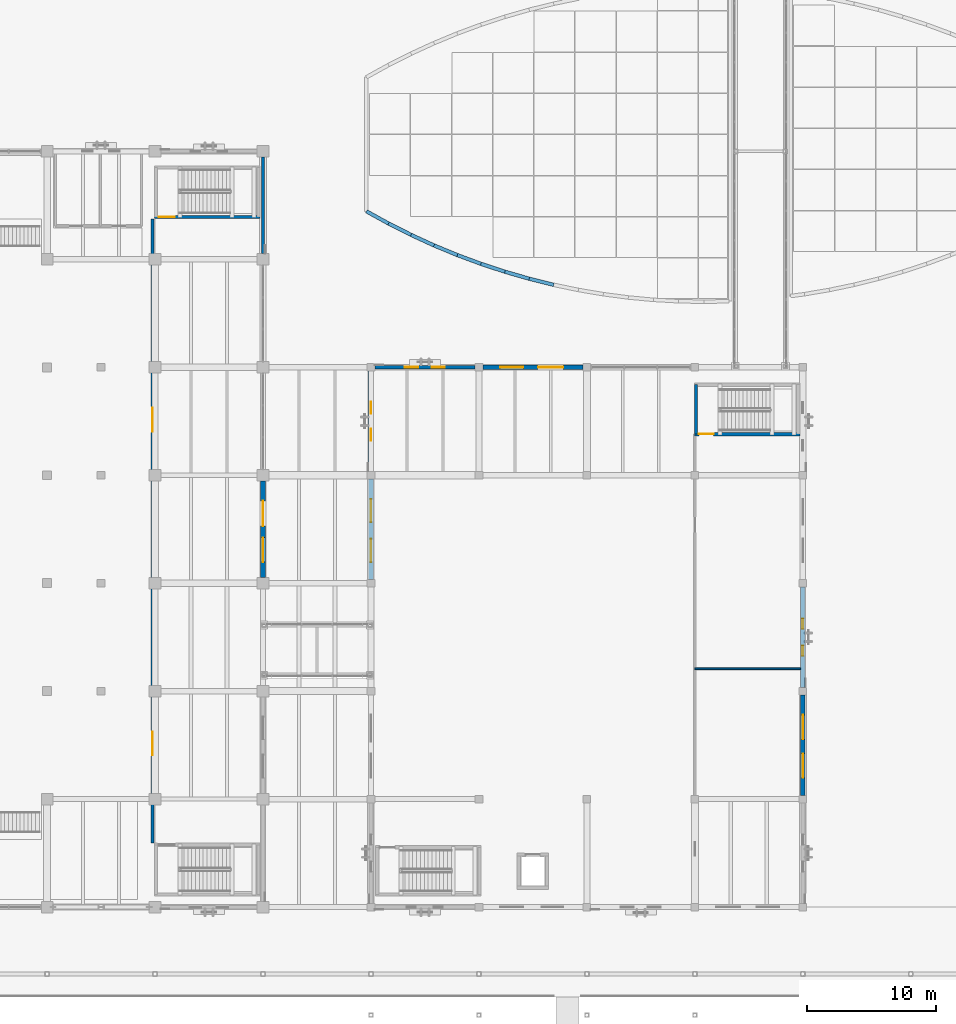
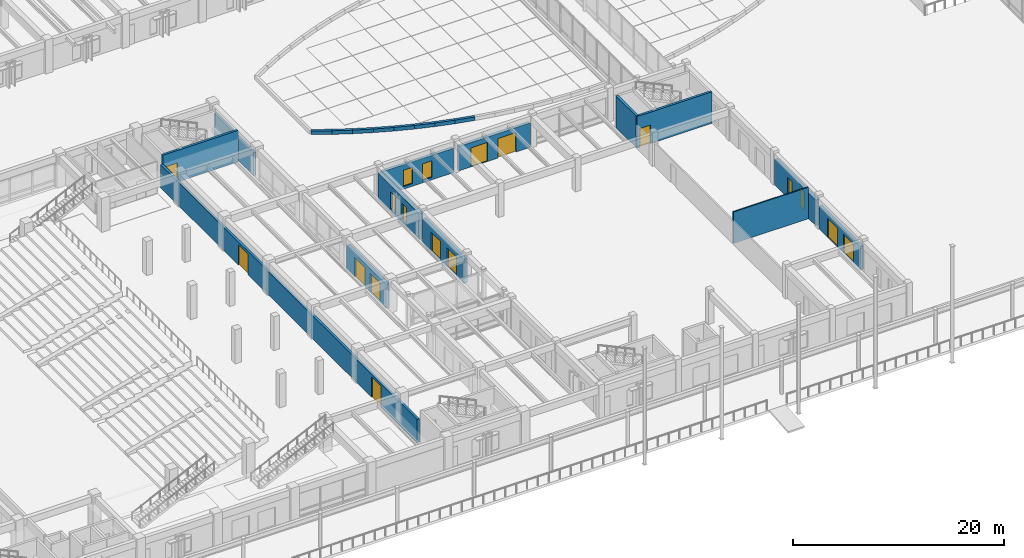
# One storey, part 87 of 135: 21 walls, 12 doors, 6 windows, 18 openings.
"""IFC4 building model written with IfcOpenShell, lengths in metres."""

from ifc_helpers import new_model, si_unit, direction, frame, frame_2d, origin, place, context, subcontext, project, spatial, rectangle, extrude, material, layer, layer_set, type_object, element, fill, save


model = new_model("IFC4")

# Units and contexts
model_context = context("Model", 3, precision=1e-05, world=origin(), true_north=direction((0.0, 1.0)))
body_context = subcontext(model_context, "Body", "Model", "MODEL_VIEW")
ifc_project = project(units=[si_unit("LENGTHUNIT", "METRE"), si_unit("AREAUNIT", "SQUARE_METRE"), si_unit("VOLUMEUNIT", "CUBIC_METRE"), si_unit("PLANEANGLEUNIT", "RADIAN"), si_unit("MASSUNIT", "GRAM", prefix="KILO")], contexts=[model_context])

# Site, building, storey
site_placement = place(None, origin())
site = spatial("IfcSite", under=ifc_project, at=site_placement, CompositionType="ELEMENT")
building_placement = place(site_placement, origin())
building = spatial("IfcBuilding", under=site, at=building_placement, Name="Cumbredor Promenade Congress Hotel", CompositionType="ELEMENT")
storey_placement = place(building_placement, origin())
storey = spatial("IfcBuildingStorey", under=building, at=storey_placement, Name="L00", CompositionType="ELEMENT", Elevation=0.0)

# Wall, openings, doors
ifc_material_1 = material(Name="Concrete C40/50", Category="concrete")
ifc_layer_1 = layer(ifc_material_1, 0.25, Name="Concrete C40/50", Category="concrete")
ifc_layer_set_1 = layer_set([ifc_layer_1], Name="Concrete C40/50")
wall_type_1 = type_object("IfcWallType", Name="WL-ACOUST-250", PredefinedType="SOLIDWALL", material=ifc_layer_set_1)
wall_1_placement = place(storey_placement, frame((58.60009765625, 13.39990234375, 0.0), z_axis=(0.0, 0.0, 1.0), x_axis=(0.0, 1.0, 0.0)))
wall_1 = element("IfcWall", 1, at=wall_1_placement, inside=storey, type_object=wall_type_1, Name="L00 Interior Partition W-L00-V1-2", PredefinedType="SOLIDWALL", context=body_context, shape_type="SweptSolid", body=[
    extrude(rectangle(XDim=48.550048828125, YDim=0.25, at=frame_2d((24.27490234375, 0.0))), origin(), (0.0, 0.0, 1.0), 2.675048828125),
])
opening_1_placement = place(wall_1_placement, frame((6.800048828125, 0.0, 0.0)))
opening_1 = element("IfcOpeningElement", 2, at=opening_1_placement, cuts=wall_1, Name="Opening AD-01", PredefinedType="OPENING", context=body_context, shape_type="SweptSolid", body=[
    extrude(rectangle(XDim=1.85009765625, YDim=2.35009765625, at=frame_2d((0.925048828125, 1.175048828125))), frame((0.0, 0.135009765625, 0.0), z_axis=(0.0, -1.0, 0.0), x_axis=(1.0, 0.0, 0.0)), (0.0, 0.0, 1.0), 0.27001953125),
])
opening_2_placement = place(wall_1_placement, frame((32.0, 0.0, 0.0)))
opening_2 = element("IfcOpeningElement", 3, at=opening_2_placement, cuts=wall_1, Name="Opening AD-01", PredefinedType="OPENING", context=body_context, shape_type="SweptSolid", body=[
    extrude(rectangle(XDim=1.85009765625, YDim=2.35009765625, at=frame_2d((0.925048828125, 1.175048828125))), frame((0.0, 0.135009765625, 0.0), z_axis=(0.0, -1.0, 0.0), x_axis=(1.0, 0.0, 0.0)), (0.0, 0.0, 1.0), 0.27001953125),
])
ifc_material_2 = material(Name="Acoustic solid-core hardwood assembly door", Category="wood")
door_type_1 = type_object("IfcDoorType", Name="DR-ACOUST-1800", OperationType="DOUBLE_DOOR_SINGLE_SWING", PredefinedType="DOOR", material=ifc_material_2)
door_1_placement = place(opening_1_placement, origin())
door_1 = element("IfcDoor", 4, at=door_1_placement, inside=storey, type_object=door_type_1, Name="L00 Interior Door W-L00-V1-2-01", OperationType="DOUBLE_DOOR_SINGLE_SWING", OverallHeight=2.35009765625, OverallWidth=1.85009765625, PredefinedType="DOOR", context=body_context, shape_type="SweptSolid", body=[
    extrude(rectangle(XDim=1.85009765625, YDim=2.35009765625, at=frame_2d((0.925048828125, 1.175048828125))), frame((0.0, 0.02490234375, 0.0), z_axis=(0.0, -1.0, 0.0), x_axis=(1.0, 0.0, 0.0)), (0.0, 0.0, 1.0), 0.050048828125),
])
fill(opening_1, door_1)
door_2_placement = place(opening_2_placement, origin())
door_2 = element("IfcDoor", 5, at=door_2_placement, inside=storey, type_object=door_type_1, Name="L00 Interior Door W-L00-V1-2-02", OperationType="DOUBLE_DOOR_SINGLE_SWING", OverallHeight=2.35009765625, OverallWidth=1.85009765625, PredefinedType="DOOR", context=body_context, shape_type="SweptSolid", body=[
    extrude(rectangle(XDim=1.85009765625, YDim=2.35009765625, at=frame_2d((0.925048828125, 1.175048828125))), frame((0.0, 0.02490234375, 0.0), z_axis=(0.0, -1.0, 0.0), x_axis=(1.0, 0.0, 0.0)), (0.0, 0.0, 1.0), 0.050048828125),
])
fill(opening_2, door_2)

# Wall
ifc_layer_2 = layer(ifc_material_1, 0.260009765625, Name="Concrete C40/50", Category="concrete")
ifc_layer_set_2 = layer_set([ifc_layer_2], Name="Concrete C40/50")
wall_type_2 = type_object("IfcWallType", Name="WL-EXT-260", PredefinedType="SOLIDWALL", material=ifc_layer_set_2)
wall_2_placement = place(storey_placement, frame((67.199951171875, 59.2509765625, 0.0), z_axis=(0.0, 0.0, 1.0), x_axis=(0.0, 1.0, 0.0)))
element("IfcWall", 6, at=wall_2_placement, inside=storey, type_object=wall_type_2, Name="L00 Plenary Congress Hall East Envelope Wall 7", PredefinedType="SOLIDWALL", context=body_context, shape_type="SweptSolid", body=[
    extrude(rectangle(XDim=7.498046875, YDim=0.260009765625, at=frame_2d((3.7490234375, 0.0))), origin(), (0.0, 0.0, 1.0), 2.675048828125),
])

# Wall, openings, windows
ifc_layer_3 = layer(ifc_material_1, 0.300048828125, Name="Concrete C40/50", Category="concrete")
ifc_layer_set_3 = layer_set([ifc_layer_3], Name="Concrete C40/50")
wall_type_3 = type_object("IfcWallType", Name="WL-EXT-300", PredefinedType="SOLIDWALL", material=ifc_layer_set_3)
wall_3_placement = place(storey_placement, frame((75.90087890625, 50.39990234375, 0.0), z_axis=(0.0, 0.0, 1.0), x_axis=(1.0, 0.0, 0.0)))
wall_3 = element("IfcWall", 7, at=wall_3_placement, inside=storey, type_object=wall_type_3, Name="L00 Thermal Spa and Hydrotherapy Pavilion North Envelope Wall 1", PredefinedType="SOLIDWALL", context=body_context, shape_type="SweptSolid", body=[
    extrude(rectangle(XDim=7.798095703125, YDim=0.300048828125, at=frame_2d((3.89892578125, 0.0))), origin(), (0.0, 0.0, 1.0), 2.824951171875),
])
opening_3_placement = place(wall_3_placement, frame((2.339111328125, 0.0, 0.300048828125)))
opening_3 = element("IfcOpeningElement", 8, at=opening_3_placement, cuts=wall_3, Name="Opening WN-69", PredefinedType="OPENING", context=body_context, shape_type="SweptSolid", body=[
    extrude(rectangle(XDim=1.02001953125, YDim=1.89990234375, at=frame_2d((0.510009765625, 0.949951171875))), frame((0.0, 0.16015625, 0.0), z_axis=(0.0, -1.0, 0.0), x_axis=(1.0, 0.0, 0.0)), (0.0, 0.0, 1.0), 0.320068359375),
])
opening_4_placement = place(wall_3_placement, frame((4.43896484375, 0.0, 0.300048828125)))
opening_4 = element("IfcOpeningElement", 9, at=opening_4_placement, cuts=wall_3, Name="Opening WN-69", PredefinedType="OPENING", context=body_context, shape_type="SweptSolid", body=[
    extrude(rectangle(XDim=1.02001953125, YDim=1.89990234375, at=frame_2d((0.510009765625, 0.949951171875))), frame((0.0, 0.16015625, 0.0), z_axis=(0.0, -1.0, 0.0), x_axis=(1.0, 0.0, 0.0)), (0.0, 0.0, 1.0), 0.320068359375),
])
ifc_material_3 = material(Name="Thermally broken anodized aluminium and low-E glass", Category="aluminium")
window_type_1 = type_object("IfcWindowType", Name="Vertical Slot Window WN-69 1020x1900", PartitioningType="SINGLE_PANEL", PredefinedType="WINDOW", material=ifc_material_3)
window_1_placement = place(opening_3_placement, origin())
window_1 = element("IfcWindow", 10, at=window_1_placement, inside=storey, type_object=window_type_1, Name="L00 Vertical Slot Window 0025", OverallHeight=1.89990234375, OverallWidth=1.02001953125, PartitioningType="SINGLE_PANEL", PredefinedType="WINDOW", context=body_context, shape_type="SweptSolid", body=[
    extrude(rectangle(XDim=1.02001953125, YDim=1.89990234375, at=frame_2d((0.510009765625, 0.949951171875))), frame((0.0, 0.030029296875, 0.0), z_axis=(0.0, -1.0, 0.0), x_axis=(1.0, 0.0, 0.0)), (0.0, 0.0, 1.0), 0.06005859375),
])
fill(opening_3, window_1)
window_2_placement = place(opening_4_placement, origin())
window_2 = element("IfcWindow", 11, at=window_2_placement, inside=storey, type_object=window_type_1, Name="L00 Vertical Slot Window 0026", OverallHeight=1.89990234375, OverallWidth=1.02001953125, PartitioningType="SINGLE_PANEL", PredefinedType="WINDOW", context=body_context, shape_type="SweptSolid", body=[
    extrude(rectangle(XDim=1.02001953125, YDim=1.89990234375, at=frame_2d((0.510009765625, 0.949951171875))), frame((0.0, 0.030029296875, 0.0), z_axis=(0.0, -1.0, 0.0), x_axis=(1.0, 0.0, 0.0)), (0.0, 0.0, 1.0), 0.06005859375),
])
fill(opening_4, window_2)

# Wall, openings, doors
ifc_layer_4 = layer(ifc_material_1, 0.324951171875, Name="Concrete C40/50", Category="concrete")
ifc_layer_set_4 = layer_set([ifc_layer_4], Name="Concrete C40/50")
wall_type_4 = type_object("IfcWallType", Name="WL-EXT-325", PredefinedType="SOLIDWALL", material=ifc_layer_set_4)
wall_4_placement = place(storey_placement, frame((84.301025390625, 50.39990234375, 0.0), z_axis=(0.0, 0.0, 1.0), x_axis=(1.0, 0.0, 0.0)))
wall_4 = element("IfcWall", 12, at=wall_4_placement, inside=storey, type_object=wall_type_4, Name="L00 Thermal Spa and Hydrotherapy Pavilion North Envelope Wall 2", PredefinedType="SOLIDWALL", context=body_context, shape_type="SweptSolid", body=[
    extrude(rectangle(XDim=7.798095703125, YDim=0.324951171875, at=frame_2d((3.89892578125, 0.0))), origin(), (0.0, 0.0, 1.0), 2.824951171875),
])
opening_5_placement = place(wall_4_placement, frame((1.34912109375, 0.0, 0.0)))
opening_5 = element("IfcOpeningElement", 13, at=opening_5_placement, cuts=wall_4, Name="Opening EX-01", PredefinedType="OPENING", context=body_context, shape_type="SweptSolid", body=[
    extrude(rectangle(XDim=1.800048828125, YDim=2.199951171875, at=frame_2d((0.89990234375, 1.10009765625))), frame((0.0, 0.17236328125, 0.0), z_axis=(0.0, -1.0, 0.0), x_axis=(1.0, 0.0, 0.0)), (0.0, 0.0, 1.0), 0.344970703125),
])
opening_6_placement = place(wall_4_placement, frame((4.298095703125, 0.0, 0.0)))
opening_6 = element("IfcOpeningElement", 14, at=opening_6_placement, cuts=wall_4, Name="Opening EX-10", PredefinedType="OPENING", context=body_context, shape_type="SweptSolid", body=[
    extrude(rectangle(XDim=1.949951171875, YDim=2.25, at=frame_2d((0.97509765625, 1.125))), frame((0.0, 0.17236328125, 0.0), z_axis=(0.0, -1.0, 0.0), x_axis=(1.0, 0.0, 0.0)), (0.0, 0.0, 1.0), 0.344970703125),
])
ifc_material_4 = material(Name="Thermally broken anodized aluminium and laminated safety glass", Category="aluminium")
door_type_2 = type_object("IfcDoorType", Name="EXT-DR-EXIT-1800x2200", OperationType="DOUBLE_DOOR_SINGLE_SWING", PredefinedType="DOOR", material=ifc_material_4)
door_3_placement = place(opening_5_placement, origin())
door_3 = element("IfcDoor", 15, at=door_3_placement, inside=storey, type_object=door_type_2, Name="L00 Thermal Spa and Hydrotherapy Pavilion North Final Exit Door 16.1", OperationType="DOUBLE_DOOR_SINGLE_SWING", OverallHeight=2.199951171875, OverallWidth=1.800048828125, PredefinedType="DOOR", context=body_context, shape_type="SweptSolid", body=[
    extrude(rectangle(XDim=1.800048828125, YDim=2.199951171875, at=frame_2d((0.89990234375, 1.10009765625))), frame((0.0, 0.02490234375, 0.0), z_axis=(0.0, -1.0, 0.0), x_axis=(1.0, 0.0, 0.0)), (0.0, 0.0, 1.0), 0.050048828125),
])
fill(opening_5, door_3)
door_type_3 = type_object("IfcDoorType", Name="EXT-DR-EXIT-1950x2250", OperationType="DOUBLE_DOOR_SINGLE_SWING", PredefinedType="DOOR", material=ifc_material_4)
door_4_placement = place(opening_6_placement, origin())
door_4 = element("IfcDoor", 16, at=door_4_placement, inside=storey, type_object=door_type_3, Name="L00 Thermal Spa and Hydrotherapy Pavilion North Final Exit Door 16.2", OperationType="DOUBLE_DOOR_SINGLE_SWING", OverallHeight=2.25, OverallWidth=1.949951171875, PredefinedType="DOOR", context=body_context, shape_type="SweptSolid", body=[
    extrude(rectangle(XDim=1.949951171875, YDim=2.25, at=frame_2d((0.97509765625, 1.125))), frame((0.0, 0.02490234375, 0.0), z_axis=(0.0, -1.0, 0.0), x_axis=(1.0, 0.0, 0.0)), (0.0, 0.0, 1.0), 0.050048828125),
])
fill(opening_6, door_4)

wall_5_placement = place(storey_placement, frame((109.199951171875, 17.10107421875, 0.0), z_axis=(0.0, 0.0, 1.0), x_axis=(0.0, 1.0, 0.0)))
wall_5 = element("IfcWall", 17, at=wall_5_placement, inside=storey, type_object=wall_type_4, Name="L00 Thermal Spa and Hydrotherapy Pavilion East Envelope Wall 2", PredefinedType="SOLIDWALL", context=body_context, shape_type="SweptSolid", body=[
    extrude(rectangle(XDim=7.7978515625, YDim=0.324951171875, at=frame_2d((3.89892578125, 0.0))), origin(), (0.0, 0.0, 1.0), 2.675048828125),
])
opening_7_placement = place(wall_5_placement, frame((1.34912109375, 0.0, 0.0)))
opening_7 = element("IfcOpeningElement", 18, at=opening_7_placement, cuts=wall_5, Name="Opening EX-02", PredefinedType="OPENING", context=body_context, shape_type="SweptSolid", body=[
    extrude(rectangle(XDim=1.89990234375, YDim=2.199951171875, at=frame_2d((0.949951171875, 1.10009765625))), frame((0.0, 0.17236328125, 0.0), z_axis=(0.0, -1.0, 0.0), x_axis=(1.0, 0.0, 0.0)), (0.0, 0.0, 1.0), 0.344970703125),
])
opening_8_placement = place(wall_5_placement, frame((4.347900390625, 0.0, 0.0)))
opening_8 = element("IfcOpeningElement", 19, at=opening_8_placement, cuts=wall_5, Name="Opening EX-02", PredefinedType="OPENING", context=body_context, shape_type="SweptSolid", body=[
    extrude(rectangle(XDim=1.89990234375, YDim=2.199951171875, at=frame_2d((0.949951171875, 1.10009765625))), frame((0.0, 0.17236328125, 0.0), z_axis=(0.0, -1.0, 0.0), x_axis=(1.0, 0.0, 0.0)), (0.0, 0.0, 1.0), 0.344970703125),
])
door_type_4 = type_object("IfcDoorType", Name="EXT-DR-EXIT-1900x2200", OperationType="DOUBLE_DOOR_SINGLE_SWING", PredefinedType="DOOR", material=ifc_material_4)
door_5_placement = place(opening_7_placement, frame((1.89990234375, 0.0, 0.0), z_axis=(0.0, 0.0, 1.0), x_axis=(-1.0, 0.0, 0.0)))
door_5 = element("IfcDoor", 20, at=door_5_placement, inside=storey, type_object=door_type_4, Name="L00 Thermal Spa and Hydrotherapy Pavilion East Final Exit Door 19.1", OperationType="DOUBLE_DOOR_SINGLE_SWING", OverallHeight=2.199951171875, OverallWidth=1.89990234375, PredefinedType="DOOR", context=body_context, shape_type="SweptSolid", body=[
    extrude(rectangle(XDim=1.89990234375, YDim=2.199951171875, at=frame_2d((0.949951171875, 1.10009765625))), frame((0.0, 0.02490234375, 0.0), z_axis=(0.0, -1.0, 0.0), x_axis=(1.0, 0.0, 0.0)), (0.0, 0.0, 1.0), 0.050048828125),
])
fill(opening_7, door_5)
door_6_placement = place(opening_8_placement, frame((1.89990234375, 0.0, 0.0), z_axis=(0.0, 0.0, 1.0), x_axis=(-1.0, 0.0, 0.0)))
door_6 = element("IfcDoor", 21, at=door_6_placement, inside=storey, type_object=door_type_4, Name="L00 Thermal Spa and Hydrotherapy Pavilion East Final Exit Door 19.2", OperationType="DOUBLE_DOOR_SINGLE_SWING", OverallHeight=2.199951171875, OverallWidth=1.89990234375, PredefinedType="DOOR", context=body_context, shape_type="SweptSolid", body=[
    extrude(rectangle(XDim=1.89990234375, YDim=2.199951171875, at=frame_2d((0.949951171875, 1.10009765625))), frame((0.0, 0.02490234375, 0.0), z_axis=(0.0, -1.0, 0.0), x_axis=(1.0, 0.0, 0.0)), (0.0, 0.0, 1.0), 0.050048828125),
])
fill(opening_8, door_6)

# Wall, openings, windows
ifc_layer_5 = layer(ifc_material_1, 0.35009765625, Name="Concrete C40/50", Category="concrete")
ifc_layer_set_5 = layer_set([ifc_layer_5], Name="Concrete C40/50")
wall_type_5 = type_object("IfcWallType", Name="WL-EXT-350", PredefinedType="SOLIDWALL", material=ifc_layer_set_5)
wall_6_placement = place(storey_placement, frame((109.199951171875, 25.5009765625, 0.0), z_axis=(0.0, 0.0, 1.0), x_axis=(0.0, 1.0, 0.0)))
wall_6 = element("IfcWall", 22, at=wall_6_placement, inside=storey, type_object=wall_type_5, Name="L00 Thermal Spa and Hydrotherapy Pavilion East Envelope Wall 3", PredefinedType="SOLIDWALL", context=body_context, shape_type="SweptSolid", body=[
    extrude(rectangle(XDim=7.798095703125, YDim=0.35009765625, at=frame_2d((3.89892578125, 0.0))), origin(), (0.0, 0.0, 1.0), 2.97509765625),
])
opening_9_placement = place(wall_6_placement, frame((2.448974609375, 0.0, 0.300048828125)))
opening_9 = element("IfcOpeningElement", 23, at=opening_9_placement, cuts=wall_6, Name="Opening WN-54", PredefinedType="OPENING", context=body_context, shape_type="SweptSolid", body=[
    extrude(rectangle(XDim=0.800048828125, YDim=2.050048828125, at=frame_2d((0.39990234375, 1.02490234375))), frame((0.0, 0.18505859375, 0.0), z_axis=(0.0, -1.0, 0.0), x_axis=(1.0, 0.0, 0.0)), (0.0, 0.0, 1.0), 0.3701171875),
])
opening_10_placement = place(wall_6_placement, frame((4.549072265625, 0.0, 0.300048828125)))
opening_10 = element("IfcOpeningElement", 24, at=opening_10_placement, cuts=wall_6, Name="Opening WN-54", PredefinedType="OPENING", context=body_context, shape_type="SweptSolid", body=[
    extrude(rectangle(XDim=0.800048828125, YDim=2.050048828125, at=frame_2d((0.39990234375, 1.02490234375))), frame((0.0, 0.18505859375, 0.0), z_axis=(0.0, -1.0, 0.0), x_axis=(1.0, 0.0, 0.0)), (0.0, 0.0, 1.0), 0.3701171875),
])
window_type_2 = type_object("IfcWindowType", Name="Vertical Slot Window WN-54 800x2050", PartitioningType="SINGLE_PANEL", PredefinedType="WINDOW", material=ifc_material_3)
window_3_placement = place(opening_9_placement, origin())
window_3 = element("IfcWindow", 25, at=window_3_placement, inside=storey, type_object=window_type_2, Name="L00 Vertical Slot Window 0033", OverallHeight=2.050048828125, OverallWidth=0.800048828125, PartitioningType="SINGLE_PANEL", PredefinedType="WINDOW", context=body_context, shape_type="SweptSolid", body=[
    extrude(rectangle(XDim=0.800048828125, YDim=2.050048828125, at=frame_2d((0.39990234375, 1.02490234375))), frame((0.0, 0.030029296875, 0.0), z_axis=(0.0, -1.0, 0.0), x_axis=(1.0, 0.0, 0.0)), (0.0, 0.0, 1.0), 0.06005859375),
])
fill(opening_9, window_3)
window_4_placement = place(opening_10_placement, origin())
window_4 = element("IfcWindow", 26, at=window_4_placement, inside=storey, type_object=window_type_2, Name="L00 Vertical Slot Window 0034", OverallHeight=2.050048828125, OverallWidth=0.800048828125, PartitioningType="SINGLE_PANEL", PredefinedType="WINDOW", context=body_context, shape_type="SweptSolid", body=[
    extrude(rectangle(XDim=0.800048828125, YDim=2.050048828125, at=frame_2d((0.39990234375, 1.02490234375))), frame((0.0, 0.030029296875, 0.0), z_axis=(0.0, -1.0, 0.0), x_axis=(1.0, 0.0, 0.0)), (0.0, 0.0, 1.0), 0.06005859375),
])
fill(opening_10, window_4)

# Wall, openings, doors
ifc_layer_6 = layer(ifc_material_1, 0.3798828125, Name="Concrete C40/50", Category="concrete")
ifc_layer_set_6 = layer_set([ifc_layer_6], Name="Concrete C40/50")
wall_type_6 = type_object("IfcWallType", Name="WL-EXT-380", PredefinedType="SOLIDWALL", material=ifc_layer_set_6)
wall_7_placement = place(storey_placement, frame((67.199951171875, 34.051025390625, 0.0), z_axis=(0.0, 0.0, 1.0), x_axis=(0.0, 1.0, 0.0)))
wall_7 = element("IfcWall", 27, at=wall_7_placement, inside=storey, type_object=wall_type_6, Name="L00 Plenary Congress Hall East Envelope Wall 4", PredefinedType="SOLIDWALL", context=body_context, shape_type="SweptSolid", body=[
    extrude(rectangle(XDim=7.498046875, YDim=0.3798828125, at=frame_2d((3.7490234375, 0.0))), origin(), (0.0, 0.0, 1.0), 2.77490234375),
])
opening_11_placement = place(wall_7_placement, frame((1.198974609375, 0.0, 0.0)))
opening_11 = element("IfcOpeningElement", 28, at=opening_11_placement, cuts=wall_7, Name="Opening EX-02", PredefinedType="OPENING", context=body_context, shape_type="SweptSolid", body=[
    extrude(rectangle(XDim=1.89990234375, YDim=2.199951171875, at=frame_2d((0.949951171875, 1.10009765625))), frame((0.0, 0.199951171875, 0.0), z_axis=(0.0, -1.0, 0.0), x_axis=(1.0, 0.0, 0.0)), (0.0, 0.0, 1.0), 0.39990234375),
])
opening_12_placement = place(wall_7_placement, frame((3.998046875, 0.0, 0.0)))
opening_12 = element("IfcOpeningElement", 29, at=opening_12_placement, cuts=wall_7, Name="Opening EX-10", PredefinedType="OPENING", context=body_context, shape_type="SweptSolid", body=[
    extrude(rectangle(XDim=1.949951171875, YDim=2.25, at=frame_2d((0.97509765625, 1.125))), frame((0.0, 0.199951171875, 0.0), z_axis=(0.0, -1.0, 0.0), x_axis=(1.0, 0.0, 0.0)), (0.0, 0.0, 1.0), 0.39990234375),
])
door_7_placement = place(opening_11_placement, frame((1.89990234375, 0.0, 0.0), z_axis=(0.0, 0.0, 1.0), x_axis=(-1.0, 0.0, 0.0)))
door_7 = element("IfcDoor", 30, at=door_7_placement, inside=storey, type_object=door_type_4, Name="L00 Plenary Congress Hall East Final Exit Door 07.1", OperationType="DOUBLE_DOOR_SINGLE_SWING", OverallHeight=2.199951171875, OverallWidth=1.89990234375, PredefinedType="DOOR", context=body_context, shape_type="SweptSolid", body=[
    extrude(rectangle(XDim=1.89990234375, YDim=2.199951171875, at=frame_2d((0.949951171875, 1.10009765625))), frame((0.0, 0.02490234375, 0.0), z_axis=(0.0, -1.0, 0.0), x_axis=(1.0, 0.0, 0.0)), (0.0, 0.0, 1.0), 0.050048828125),
])
fill(opening_11, door_7)
door_8_placement = place(opening_12_placement, frame((1.949951171875, 0.0, 0.0), z_axis=(0.0, 0.0, 1.0), x_axis=(-1.0, 0.0, 0.0)))
door_8 = element("IfcDoor", 31, at=door_8_placement, inside=storey, type_object=door_type_3, Name="L00 Plenary Congress Hall East Final Exit Door 07.2", OperationType="DOUBLE_DOOR_SINGLE_SWING", OverallHeight=2.25, OverallWidth=1.949951171875, PredefinedType="DOOR", context=body_context, shape_type="SweptSolid", body=[
    extrude(rectangle(XDim=1.949951171875, YDim=2.25, at=frame_2d((0.97509765625, 1.125))), frame((0.0, 0.02490234375, 0.0), z_axis=(0.0, -1.0, 0.0), x_axis=(1.0, 0.0, 0.0)), (0.0, 0.0, 1.0), 0.050048828125),
])
fill(opening_12, door_8)

wall_8_placement = place(storey_placement, frame((75.60009765625, 33.90087890625, 0.0), z_axis=(0.0, 0.0, 1.0), x_axis=(0.0, 1.0, 0.0)))
wall_8 = element("IfcWall", 32, at=wall_8_placement, inside=storey, type_object=wall_type_6, Name="L00 Thermal Spa and Hydrotherapy Pavilion West Envelope Wall 4", PredefinedType="SOLIDWALL", context=body_context, shape_type="SweptSolid", body=[
    extrude(rectangle(XDim=7.798095703125, YDim=0.3798828125, at=frame_2d((3.89892578125, 0.0))), origin(), (0.0, 0.0, 1.0), 2.77490234375),
])
opening_13_placement = place(wall_8_placement, frame((1.34912109375, 0.0, 0.0)))
opening_13 = element("IfcOpeningElement", 33, at=opening_13_placement, cuts=wall_8, Name="Opening EX-01", PredefinedType="OPENING", context=body_context, shape_type="SweptSolid", body=[
    extrude(rectangle(XDim=1.800048828125, YDim=2.199951171875, at=frame_2d((0.89990234375, 1.10009765625))), frame((0.0, 0.199951171875, 0.0), z_axis=(0.0, -1.0, 0.0), x_axis=(1.0, 0.0, 0.0)), (0.0, 0.0, 1.0), 0.39990234375),
])
opening_14_placement = place(wall_8_placement, frame((4.447998046875, 0.0, 0.0)))
opening_14 = element("IfcOpeningElement", 34, at=opening_14_placement, cuts=wall_8, Name="Opening EX-01", PredefinedType="OPENING", context=body_context, shape_type="SweptSolid", body=[
    extrude(rectangle(XDim=1.800048828125, YDim=2.199951171875, at=frame_2d((0.89990234375, 1.10009765625))), frame((0.0, 0.199951171875, 0.0), z_axis=(0.0, -1.0, 0.0), x_axis=(1.0, 0.0, 0.0)), (0.0, 0.0, 1.0), 0.39990234375),
])
door_9_placement = place(opening_13_placement, origin())
door_9 = element("IfcDoor", 35, at=door_9_placement, inside=storey, type_object=door_type_2, Name="L00 Thermal Spa and Hydrotherapy Pavilion West Final Exit Door 18.1", OperationType="DOUBLE_DOOR_SINGLE_SWING", OverallHeight=2.199951171875, OverallWidth=1.800048828125, PredefinedType="DOOR", context=body_context, shape_type="SweptSolid", body=[
    extrude(rectangle(XDim=1.800048828125, YDim=2.199951171875, at=frame_2d((0.89990234375, 1.10009765625))), frame((0.0, 0.02490234375, 0.0), z_axis=(0.0, -1.0, 0.0), x_axis=(1.0, 0.0, 0.0)), (0.0, 0.0, 1.0), 0.050048828125),
])
fill(opening_13, door_9)
door_10_placement = place(opening_14_placement, origin())
door_10 = element("IfcDoor", 36, at=door_10_placement, inside=storey, type_object=door_type_2, Name="L00 Thermal Spa and Hydrotherapy Pavilion West Final Exit Door 18.2", OperationType="DOUBLE_DOOR_SINGLE_SWING", OverallHeight=2.199951171875, OverallWidth=1.800048828125, PredefinedType="DOOR", context=body_context, shape_type="SweptSolid", body=[
    extrude(rectangle(XDim=1.800048828125, YDim=2.199951171875, at=frame_2d((0.89990234375, 1.10009765625))), frame((0.0, 0.02490234375, 0.0), z_axis=(0.0, -1.0, 0.0), x_axis=(1.0, 0.0, 0.0)), (0.0, 0.0, 1.0), 0.050048828125),
])
fill(opening_14, door_10)

# Wall, openings, windows
ifc_layer_7 = layer(ifc_material_1, 0.425048828125, Name="Concrete C40/50", Category="concrete")
ifc_layer_set_7 = layer_set([ifc_layer_7], Name="Concrete C40/50")
wall_type_7 = type_object("IfcWallType", Name="WL-EXT-425", PredefinedType="SOLIDWALL", material=ifc_layer_set_7)
wall_9_placement = place(storey_placement, frame((75.60009765625, 42.301025390625, 0.0), z_axis=(0.0, 0.0, 1.0), x_axis=(0.0, 1.0, 0.0)))
wall_9 = element("IfcWall", 37, at=wall_9_placement, inside=storey, type_object=wall_type_7, Name="L00 Thermal Spa and Hydrotherapy Pavilion West Envelope Wall 5", PredefinedType="SOLIDWALL", context=body_context, shape_type="SweptSolid", body=[
    extrude(rectangle(XDim=7.798095703125, YDim=0.425048828125, at=frame_2d((3.89892578125, 0.0))), origin(), (0.0, 0.0, 1.0), 2.97509765625),
])
opening_15_placement = place(wall_9_placement, frame((2.39892578125, 0.0, 0.300048828125)))
opening_15 = element("IfcOpeningElement", 38, at=opening_15_placement, cuts=wall_9, Name="Opening WN-52", PredefinedType="OPENING", context=body_context, shape_type="SweptSolid", body=[
    extrude(rectangle(XDim=0.89990234375, YDim=1.949951171875, at=frame_2d((0.449951171875, 0.97509765625))), frame((0.0, 0.22265625, 0.0), z_axis=(0.0, -1.0, 0.0), x_axis=(1.0, 0.0, 0.0)), (0.0, 0.0, 1.0), 0.445068359375),
])
opening_16_placement = place(wall_9_placement, frame((4.4990234375, 0.0, 0.300048828125)))
opening_16 = element("IfcOpeningElement", 39, at=opening_16_placement, cuts=wall_9, Name="Opening WN-52", PredefinedType="OPENING", context=body_context, shape_type="SweptSolid", body=[
    extrude(rectangle(XDim=0.89990234375, YDim=1.949951171875, at=frame_2d((0.449951171875, 0.97509765625))), frame((0.0, 0.22265625, 0.0), z_axis=(0.0, -1.0, 0.0), x_axis=(1.0, 0.0, 0.0)), (0.0, 0.0, 1.0), 0.445068359375),
])
window_type_3 = type_object("IfcWindowType", Name="Vertical Slot Window WN-52 900x1950", PartitioningType="SINGLE_PANEL", PredefinedType="WINDOW", material=ifc_material_3)
window_5_placement = place(opening_15_placement, origin())
window_5 = element("IfcWindow", 40, at=window_5_placement, inside=storey, type_object=window_type_3, Name="L00 Vertical Slot Window 0029", OverallHeight=1.949951171875, OverallWidth=0.89990234375, PartitioningType="SINGLE_PANEL", PredefinedType="WINDOW", context=body_context, shape_type="SweptSolid", body=[
    extrude(rectangle(XDim=0.89990234375, YDim=1.949951171875, at=frame_2d((0.449951171875, 0.97509765625))), frame((0.0, 0.030029296875, 0.0), z_axis=(0.0, -1.0, 0.0), x_axis=(1.0, 0.0, 0.0)), (0.0, 0.0, 1.0), 0.06005859375),
])
fill(opening_15, window_5)
window_6_placement = place(opening_16_placement, origin())
window_6 = element("IfcWindow", 41, at=window_6_placement, inside=storey, type_object=window_type_3, Name="L00 Vertical Slot Window 0030", OverallHeight=1.949951171875, OverallWidth=0.89990234375, PartitioningType="SINGLE_PANEL", PredefinedType="WINDOW", context=body_context, shape_type="SweptSolid", body=[
    extrude(rectangle(XDim=0.89990234375, YDim=1.949951171875, at=frame_2d((0.449951171875, 0.97509765625))), frame((0.0, 0.030029296875, 0.0), z_axis=(0.0, -1.0, 0.0), x_axis=(1.0, 0.0, 0.0)), (0.0, 0.0, 1.0), 0.06005859375),
])
fill(opening_16, window_6)

# Walls
ifc_material_5 = material(Name="Precast concrete C40/50", Category="concrete")
ifc_layer_8 = layer(ifc_material_5, 0.27490234375, Name="Precast concrete C40/50", Category="concrete")
ifc_layer_set_8 = layer_set([ifc_layer_8], Name="Precast concrete C40/50")
wall_type_8 = type_object("IfcWallType", Name="WL-PAR-275", PredefinedType="PARAPET", material=ifc_layer_set_8)
wall_10_placement = place(storey_placement, frame((89.817626953125, 56.81640625, 0.0), z_axis=(0.0, 0.0, 1.0), x_axis=(-0.970616123189, 0.240633209272, 0.0)))
element("IfcWall", 42, at=wall_10_placement, inside=storey, type_object=wall_type_8, Name="Reflecting Pool Curved Stone Coping Kerb 008", PredefinedType="PARAPET", context=body_context, shape_type="SweptSolid", body=[
    extrude(rectangle(XDim=1.963134765625, YDim=0.27490234375, at=frame_2d((0.9814453125, 0.0))), origin(), (0.0, 0.0, 1.0), 0.419921875),
])
for number, where, z_axis, x_axis, name in (
    (43, (87.912109375, 57.288818359375, 0.0), (0.0, 0.0, 1.0), (-0.960897422245, 0.276904575484, 0.0), "Reflecting Pool Curved Stone Coping Kerb 009"),
    (44, (86.025390625, 57.83251953125, 0.0), (0.0, 0.0, 1.0), (-0.949919476025, 0.312494782465, 0.0), "Reflecting Pool Curved Stone Coping Kerb 010"),
    (45, (84.160400390625, 58.446044921875, 0.0), (0.0, 0.0, 1.0), (-0.937529590541, 0.347905543015, 0.0), "Reflecting Pool Curved Stone Coping Kerb 011"),
    (46, (82.319580078125, 59.129150390625, 0.0), (0.0, 0.0, 1.0), (-0.923862244483, 0.382725166692, 0.0), "Reflecting Pool Curved Stone Coping Kerb 012"),
):
    element("IfcWall", number, at=place(storey_placement, frame(where, z_axis=z_axis, x_axis=x_axis)), inside=storey, type_object=wall_type_8, Name=name, PredefinedType="PARAPET", context=body_context, shape_type="SweptSolid", body=[
        extrude(rectangle(XDim=1.96337890625, YDim=0.27490234375, at=frame_2d((0.981689453125, 0.0))), origin(), (0.0, 0.0, 1.0), 0.419921875),
    ])
wall_11_placement = place(storey_placement, frame((80.505615234375, 59.880615234375, 0.0), z_axis=(0.0, 0.0, 1.0), x_axis=(-0.908921500498, 0.416967272017, 0.0)))
element("IfcWall", 47, at=wall_11_placement, inside=storey, type_object=wall_type_8, Name="Reflecting Pool Curved Stone Coping Kerb 013", PredefinedType="PARAPET", context=body_context, shape_type="SweptSolid", body=[
    extrude(rectangle(XDim=1.963134765625, YDim=0.27490234375, at=frame_2d((0.9814453125, 0.0))), origin(), (0.0, 0.0, 1.0), 0.419921875),
])
for number, where, z_axis, x_axis, name in (
    (48, (78.72119140625, 60.69921875, 0.0), (0.0, 0.0, 1.0), (-0.89270458417, 0.450642347546, 0.0), "Reflecting Pool Curved Stone Coping Kerb 014"),
    (49, (76.968505859375, 61.583984375, 0.0), (0.0, 0.0, 1.0), (-0.875240150198, 0.483688618308, 0.0), "Reflecting Pool Curved Stone Coping Kerb 015"),
):
    element("IfcWall", number, at=place(storey_placement, frame(where, z_axis=z_axis, x_axis=x_axis)), inside=storey, type_object=wall_type_8, Name=name, PredefinedType="PARAPET", context=body_context, shape_type="SweptSolid", body=[
        extrude(rectangle(XDim=1.96337890625, YDim=0.27490234375, at=frame_2d((0.981689453125, 0.0))), origin(), (0.0, 0.0, 1.0), 0.419921875),
    ])
ifc_material_6 = material(Name="Acoustic gypsum partition on steel studs", Category="steel")
ifc_layer_9 = layer(ifc_material_6, 0.139892578125, Name="Acoustic gypsum partition on steel studs", Category="steel")
ifc_layer_set_9 = layer_set([ifc_layer_9], Name="Acoustic gypsum partition on steel studs")
wall_type_9 = type_object("IfcWallType", Name="WL-PART-140", PredefinedType="PARTITIONING", material=ifc_layer_set_9)
wall_12_placement = place(storey_placement, frame((100.800048828125, 26.949951171875, 0.0), z_axis=(0.0, 0.0, 1.0), x_axis=(1.0, 0.0, 0.0)))
element("IfcWall", 50, at=wall_12_placement, inside=storey, type_object=wall_type_9, Name="L00 Interior Partition W-L00-V3-DIV", PredefinedType="PARTITIONING", context=body_context, shape_type="SweptSolid", body=[
    extrude(rectangle(XDim=8.224853515625, YDim=0.139892578125, at=frame_2d((4.1123046875, 0.0))), origin(), (0.0, 0.0, 1.0), 3.639892578125),
])

# Wall, opening, door
ifc_layer_10 = layer(ifc_material_1, 0.2548828125, Name="Concrete C40/50", Category="concrete")
ifc_layer_set_10 = layer_set([ifc_layer_10], Name="Concrete C40/50")
wall_type_10 = type_object("IfcWallType", Name="WL-SHAFT-250", PredefinedType="SOLIDWALL", material=ifc_layer_set_10)
wall_13_placement = place(storey_placement, frame((58.75244140625, 62.10009765625, 0.0), z_axis=(0.0, 0.0, 1.0), x_axis=(1.0, 0.0, 0.0)))
wall_13 = element("IfcWall", 51, at=wall_13_placement, inside=storey, type_object=wall_type_10, Name="STAIR-ST-07-L00 Shaft Wall South", PredefinedType="SOLIDWALL", context=body_context, shape_type="SweptSolid", body=[
    extrude(rectangle(XDim=8.22509765625, YDim=0.2548828125, at=frame_2d((4.112548828125, 0.0))), origin(), (0.0, 0.0, 1.0), 3.639892578125),
])
opening_17_placement = place(wall_13_placement, frame((0.35009765625, 0.0, 0.0)))
opening_17 = element("IfcOpeningElement", 52, at=opening_17_placement, cuts=wall_13, Name="Opening SD-02", PredefinedType="OPENING", context=body_context, shape_type="SweptSolid", body=[
    extrude(rectangle(XDim=1.25, YDim=2.199951171875, at=frame_2d((0.625, 1.10009765625))), frame((0.0, 0.137451171875, 0.0), z_axis=(0.0, -1.0, 0.0), x_axis=(1.0, 0.0, 0.0)), (0.0, 0.0, 1.0), 0.27490234375),
])
ifc_material_7 = material(Name="Painted galvanized steel fire door", Category="steel")
door_type_5 = type_object("IfcDoorType", Name="DR-STAIR-FD90-1250", OperationType="NOTDEFINED", PredefinedType="DOOR", material=ifc_material_7)
door_11_placement = place(opening_17_placement, origin())
door_11 = element("IfcDoor", 53, at=door_11_placement, inside=storey, type_object=door_type_5, Name="L00 Protected Exit Stair ST-07 Door", OperationType="SINGLE_SWING_LEFT", OverallHeight=2.199951171875, OverallWidth=1.25, PredefinedType="DOOR", context=body_context, shape_type="SweptSolid", body=[
    extrude(rectangle(XDim=1.25, YDim=2.199951171875, at=frame_2d((0.625, 1.10009765625))), frame((0.0, 0.02490234375, 0.0), z_axis=(0.0, -1.0, 0.0), x_axis=(1.0, 0.0, 0.0)), (0.0, 0.0, 1.0), 0.050048828125),
])
fill(opening_17, door_11)

wall_14_placement = place(storey_placement, frame((100.75244140625, 45.199951171875, 0.0), z_axis=(0.0, 0.0, 1.0), x_axis=(1.0, 0.0, 0.0)))
wall_14 = element("IfcWall", 54, at=wall_14_placement, inside=storey, type_object=wall_type_10, Name="STAIR-ST-12-L00 Shaft Wall South", PredefinedType="SOLIDWALL", context=body_context, shape_type="SweptSolid", body=[
    extrude(rectangle(XDim=8.22509765625, YDim=0.2548828125, at=frame_2d((4.112548828125, 0.0))), origin(), (0.0, 0.0, 1.0), 3.639892578125),
])
opening_18_placement = place(wall_14_placement, frame((0.35009765625, 0.0, 0.0)))
opening_18 = element("IfcOpeningElement", 55, at=opening_18_placement, cuts=wall_14, Name="Opening SD-01", PredefinedType="OPENING", context=body_context, shape_type="SweptSolid", body=[
    extrude(rectangle(XDim=1.159912109375, YDim=2.14990234375, at=frame_2d((0.580078125, 1.074951171875))), frame((0.0, 0.137451171875, 0.0), z_axis=(0.0, -1.0, 0.0), x_axis=(1.0, 0.0, 0.0)), (0.0, 0.0, 1.0), 0.27490234375),
])
door_type_6 = type_object("IfcDoorType", Name="DR-STAIR-FD90-1150", OperationType="NOTDEFINED", PredefinedType="DOOR", material=ifc_material_7)
door_12_placement = place(opening_18_placement, origin())
door_12 = element("IfcDoor", 56, at=door_12_placement, inside=storey, type_object=door_type_6, Name="L00 Protected Exit Stair ST-12 Door", OperationType="SINGLE_SWING_RIGHT", OverallHeight=2.14990234375, OverallWidth=1.159912109375, PredefinedType="DOOR", context=body_context, shape_type="SweptSolid", body=[
    extrude(rectangle(XDim=1.159912109375, YDim=2.14990234375, at=frame_2d((0.580078125, 1.074951171875))), frame((0.0, 0.02490234375, 0.0), z_axis=(0.0, -1.0, 0.0), x_axis=(1.0, 0.0, 0.0)), (0.0, 0.0, 1.0), 0.050048828125),
])
fill(opening_18, door_12)

# Wall
wall_15_placement = place(storey_placement, frame((100.8798828125, 45.199951171875, 0.0), z_axis=(0.0, 0.0, 1.0), x_axis=(0.0, 1.0, 0.0)))
element("IfcWall", 57, at=wall_15_placement, inside=storey, type_object=wall_type_10, Name="STAIR-ST-12-L00 Shaft Wall West", PredefinedType="SOLIDWALL", context=body_context, shape_type="SweptSolid", body=[
    extrude(rectangle(XDim=3.85009765625, YDim=0.2548828125, at=frame_2d((1.925048828125, 0.0))), origin(), (0.0, 0.0, 1.0), 3.639892578125),
])

save(model, "model.ifc")
